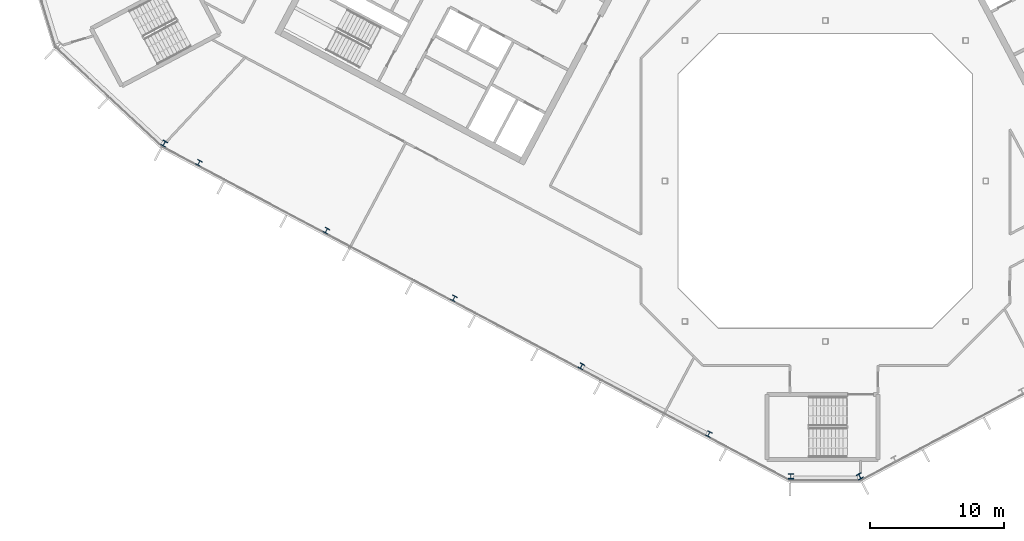
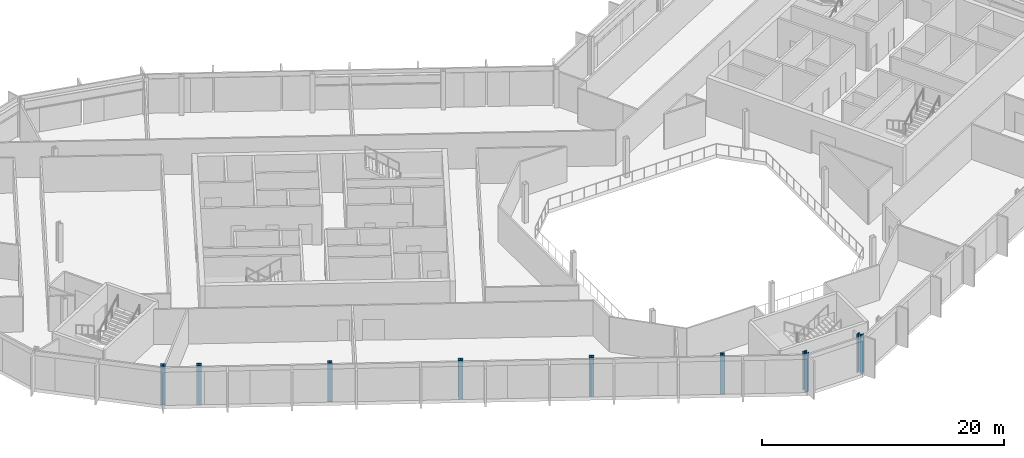
# One storey, part 1 of 26: 8 columns.
"""IFC4 building model written with IfcOpenShell, lengths in metres."""

from ifc_helpers import new_model, si_unit, direction, frame, origin, origin_2d, place, context, subcontext, project, spatial, i_section, extrude, material, material_profile, profile_set, type_object, element, save


model = new_model("IFC4")

# Units and contexts
model_context = context("Model", 3, precision=1e-05, world=origin(), true_north=direction((0.0, 1.0)))
body_context = subcontext(model_context, "Body", "Model", "MODEL_VIEW")
ifc_project = project(units=[si_unit("LENGTHUNIT", "METRE"), si_unit("AREAUNIT", "SQUARE_METRE"), si_unit("VOLUMEUNIT", "CUBIC_METRE"), si_unit("PLANEANGLEUNIT", "RADIAN"), si_unit("MASSUNIT", "GRAM", prefix="KILO")], contexts=[model_context])

# Site, building, storey
site_placement = place(None, origin())
site = spatial("IfcSite", under=ifc_project, at=site_placement, CompositionType="ELEMENT")
building_placement = place(site_placement, origin())
building = spatial("IfcBuilding", under=site, at=building_placement, Name="Cormorant Relay Tower", CompositionType="ELEMENT")
storey_placement = place(building_placement, frame((0.0, 0.0, 277.5)))
storey = spatial("IfcBuildingStorey", under=building, at=storey_placement, Name="L62", CompositionType="ELEMENT", Elevation=277.5)

# Columns
ifc_material_1 = material(Name="Steel ASTM A992 (Fy 345 MPa)", Category="steel")
ifc_material_profile_1 = material_profile(ifc_material_1, i_section(OverallWidth=0.398681640625, OverallDepth=0.385986328125, WebThickness=0.02099609375, FlangeThickness=0.033203125, FilletRadius=0.01513671875, at=origin_2d()), Name="W360x262")
ifc_profile_set_1 = profile_set([ifc_material_profile_1], Name="Steel ASTM A992 (Fy 345 MPa)")
column_type_1 = type_object("IfcColumnType", Name="Column W360x262", PredefinedType="COLUMN", material=ifc_profile_set_1)
for number, where, z_axis, x_axis, name in (
    (1, (-8.705078125, -18.928955078125, 0.0), (0.0, 0.0, 1.0), (0.882947592859, -0.469471562786, 0.0), "Column L62-004"),
    (2, (-18.240966796875, -13.85791015625, 0.0), (0.0, 0.0, 1.0), (0.882947592859, -0.469471562786, 0.0), "Column L62-006"),
    (3, (-27.777099609375, -8.7880859375, 0.0), (0.0, 0.0, 1.0), (0.882947592859, -0.469471562786, 0.0), "Column L62-011"),
    (4, (-37.31298828125, -3.718017578125, 0.0), (0.0, 0.0, 1.0), (0.882947592859, -0.469471562786, 0.0), "Column L62-013"),
    (5, (-46.84912109375, 1.35205078125, 0.0), (0.0, 0.0, 1.0), (0.882947592859, -0.469471562786, 0.0), "Column L62-017"),
):
    element("IfcColumn", number, at=place(storey_placement, frame(where, z_axis=z_axis, x_axis=x_axis)), inside=storey, type_object=column_type_1, Name=name, PredefinedType="COLUMN", context=body_context, shape_type="SweptSolid", body=[
        extrude(i_section(OverallWidth=0.398681640625, OverallDepth=0.385986328125, WebThickness=0.02099609375, FlangeThickness=0.033203125, FilletRadius=0.01513671875, at=origin_2d()), origin(), (0.0, 0.0, 1.0), 3.89990234375),
    ])
ifc_material_2 = material(Name="Steel ASTM A992 (Fy 345 MPa)", Category="steel")
ifc_material_profile_2 = material_profile(ifc_material_2, i_section(OverallWidth=0.40380859375, OverallDepth=0.406494140625, WebThickness=0.027099609375, FlangeThickness=0.043701171875, FilletRadius=0.01513671875, at=origin_2d()), Name="W360x347")
ifc_profile_set_2 = profile_set([ifc_material_profile_2], Name="Steel ASTM A992 (Fy 345 MPa)")
column_type_2 = type_object("IfcColumnType", Name="Column W360x347", PredefinedType="COLUMN", material=ifc_profile_set_2)
for number, where, z_axis, x_axis, name in (
    (6, (-2.5791015625, -22.093994140625, 0.0), (0.0, 0.0, 1.0), (1.0, 0.0, 0.0), "Column L62-001"),
    (7, (2.5791015625, -22.093994140625, 0.0), (0.0, 0.0, 1.0), (0.882947592859, 0.469471562786, 0.0), "Column L62-002"),
    (8, (-49.44091796875, 2.7958984375, 0.0), (0.0, 0.0, 1.0), (0.882947592859, -0.469471562786, 0.0), "Column L62-018"),
):
    element("IfcColumn", number, at=place(storey_placement, frame(where, z_axis=z_axis, x_axis=x_axis)), inside=storey, type_object=column_type_2, Name=name, PredefinedType="COLUMN", context=body_context, shape_type="SweptSolid", body=[
        extrude(i_section(OverallWidth=0.40380859375, OverallDepth=0.406494140625, WebThickness=0.027099609375, FlangeThickness=0.043701171875, FilletRadius=0.01513671875, at=origin_2d()), origin(), (0.0, 0.0, 1.0), 3.89990234375),
    ])

save(model, "model.ifc")
